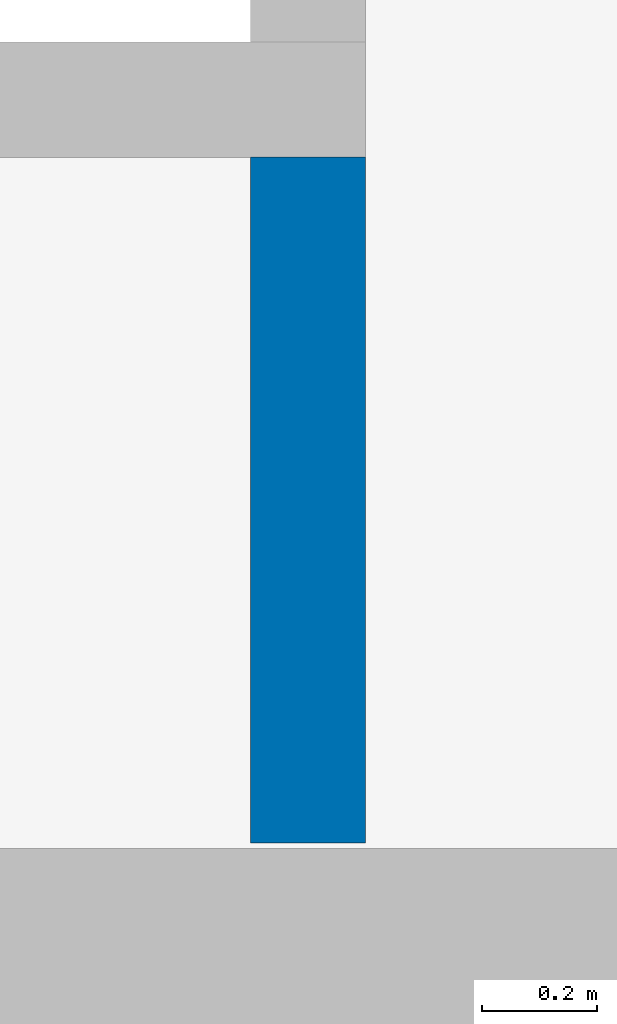
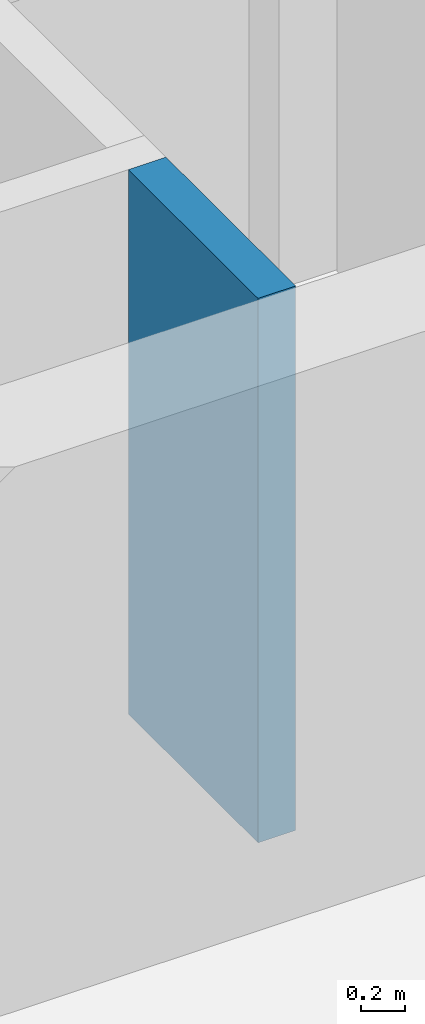
# One storey, part 8 of 44: 1 wall.
"""IFC4 building model written with IfcOpenShell, lengths in metres."""

from ifc_helpers import new_model, si_unit, direction, frame, frame_2d, origin, place, context, subcontext, project, spatial, rectangle, extrude, material, layer, layer_set, type_object, element, save


model = new_model("IFC4")

# Units and contexts
model_context = context("Model", 3, precision=1e-05, world=origin(), true_north=direction((0.0, 1.0)))
body_context = subcontext(model_context, "Body", "Model", "MODEL_VIEW")
ifc_project = project(units=[si_unit("LENGTHUNIT", "METRE"), si_unit("AREAUNIT", "SQUARE_METRE"), si_unit("VOLUMEUNIT", "CUBIC_METRE"), si_unit("PLANEANGLEUNIT", "RADIAN"), si_unit("MASSUNIT", "GRAM", prefix="KILO")], contexts=[model_context])

# Site, building, storey
site_placement = place(None, origin())
site = spatial("IfcSite", under=ifc_project, at=site_placement, CompositionType="ELEMENT")
building_placement = place(site_placement, origin())
building = spatial("IfcBuilding", under=site, at=building_placement, Name="Poui Terraces", CompositionType="ELEMENT")
storey_placement = place(building_placement, frame((0.0, 0.0, 26.699951171875)))
storey = spatial("IfcBuildingStorey", under=building, at=storey_placement, Name="L06", CompositionType="ELEMENT", Elevation=26.699951171875)

# Wall
ifc_material = material(Name="Fire-rated masonry wall", Category="masonry")
ifc_layer = layer(ifc_material, 0.199951171875)
ifc_layer_set = layer_set([ifc_layer], Name="Fire-rated masonry wall")
wall_type = type_object("IfcWallType", Name="PLANT ROOM WALL 200", PredefinedType="PARTITIONING", material=ifc_layer_set)
wall_placement = place(storey_placement, frame((49.699951171875, 14.909912109375, 0.0), z_axis=(0.0, 0.0, 1.0), x_axis=(0.0, 1.0, 0.0)))
element("IfcWall", 1, at=wall_placement, inside=storey, type_object=wall_type, Name="PLANT ROOM WALL 200", PredefinedType="PARTITIONING", context=body_context, shape_type="SweptSolid", body=[
    extrude(rectangle(XDim=1.190185546875, YDim=0.199951171875, at=frame_2d((0.59521484375, 0.0))), origin(), (0.0, 0.0, 1.0), 3.050048828125),
])

save(model, "model.ifc")
